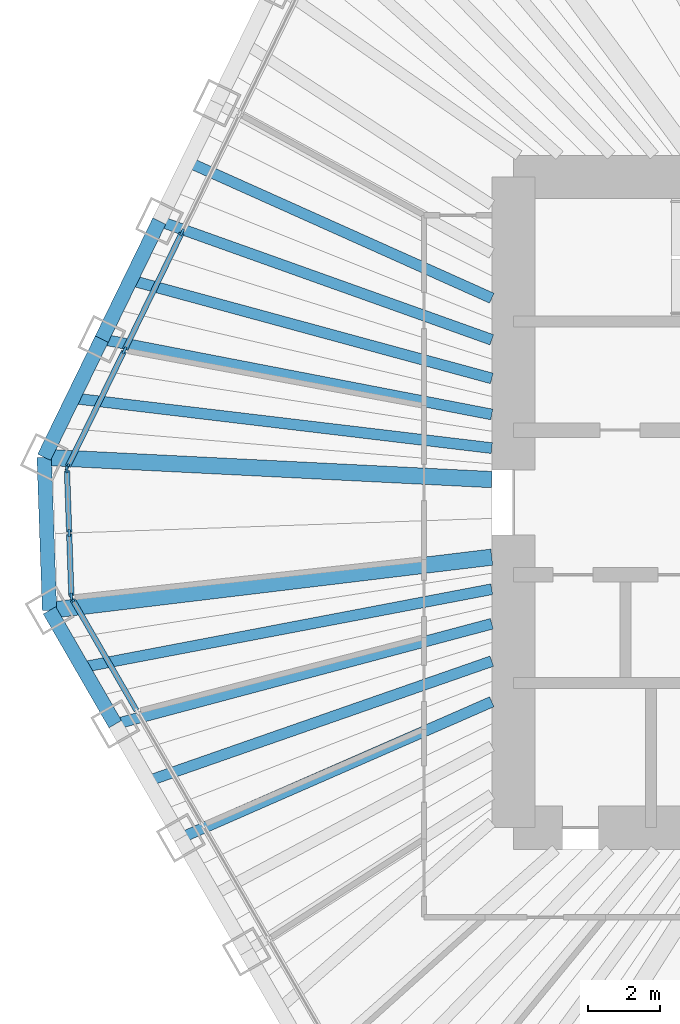
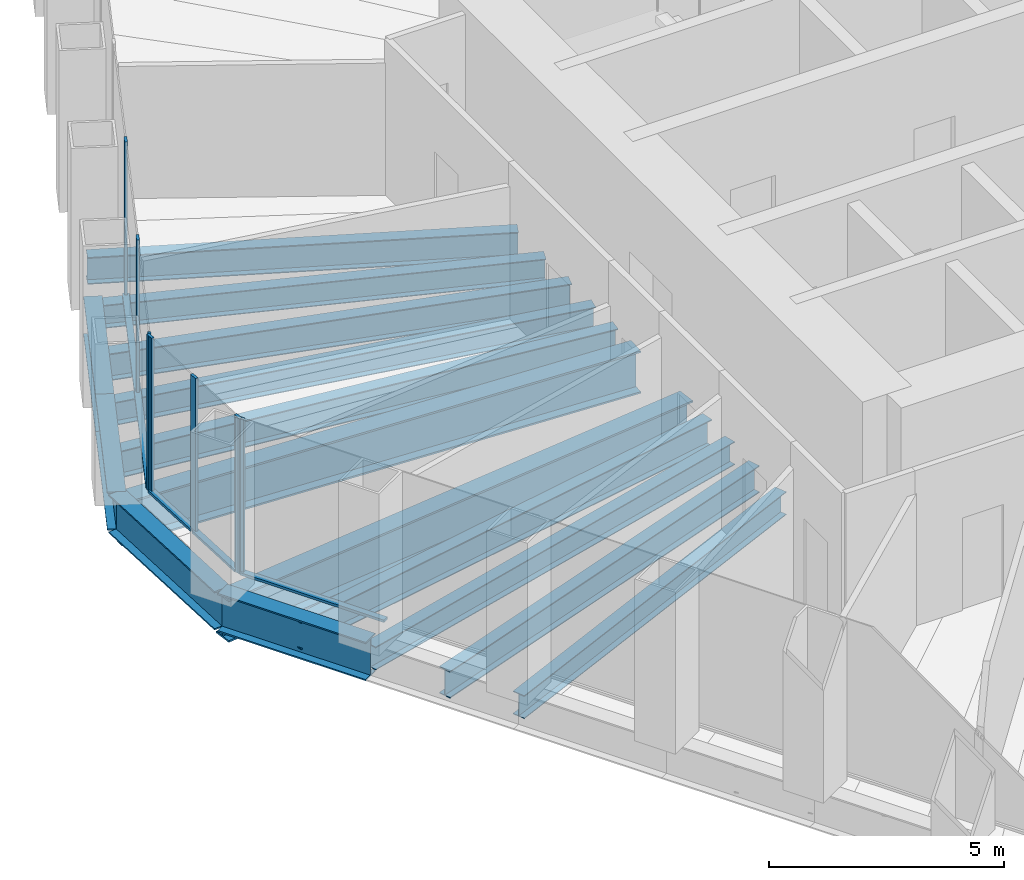
# One storey, part 3 of 14: 15 beams, 12 members, 3 elements without a shape of their own.
"""IFC4 building model written with IfcOpenShell, lengths in metres."""

from ifc_helpers import new_model, si_unit, direction, frame, origin, origin_2d, place, context, subcontext, project, spatial, rectangle, i_section, extrude, material, material_profile, profile_set, type_object, element, aggregate, save


model = new_model("IFC4")

# Units and contexts
model_context = context("Model", 3, precision=1e-05, world=origin(), true_north=direction((0.0, 1.0)))
body_context = subcontext(model_context, "Body", "Model", "MODEL_VIEW")
ifc_project = project(units=[si_unit("LENGTHUNIT", "METRE"), si_unit("AREAUNIT", "SQUARE_METRE"), si_unit("VOLUMEUNIT", "CUBIC_METRE"), si_unit("PLANEANGLEUNIT", "RADIAN"), si_unit("MASSUNIT", "GRAM", prefix="KILO")], contexts=[model_context])

# Site, building, storey
site_placement = place(None, origin())
site = spatial("IfcSite", under=ifc_project, at=site_placement, CompositionType="ELEMENT")
building_placement = place(site_placement, origin())
building = spatial("IfcBuilding", under=site, at=building_placement, Name="Qingtian Harvest Tower", CompositionType="ELEMENT")
storey_placement = place(building_placement, frame((0.0, 0.0, 243.39990234375)))
storey = spatial("IfcBuildingStorey", under=building, at=storey_placement, Name="L53", CompositionType="ELEMENT", Elevation=243.39990234375)

# Beams
ifc_material_1 = material(Name="Steel SM570MC", Category="steel")
ifc_material_profile_1 = material_profile(ifc_material_1, i_section(OverallWidth=0.449951171875, OverallDepth=1.10009765625, WebThickness=0.02197265625, FlangeThickness=0.044921875, at=origin_2d()), Name="H1100x450x22x45")
ifc_profile_set_1 = profile_set([ifc_material_profile_1], Name="Steel SM570MC")
beam_type_1 = type_object("IfcBeamType", Name="Corner floor beam FB8 H1100x450x22x45", PredefinedType="BEAM", material=ifc_profile_set_1)
beam_1_placement = place(storey_placement, frame((-24.833251953125, -2.987548828125, -0.719970703125), z_axis=(0.992841259631, 0.119441337798, 0.0), x_axis=(-0.119441337798, 0.992841259631, 0.0)))
element("IfcBeam", 1, at=beam_1_placement, inside=storey, type_object=beam_type_1, Name="Floor beam FB8 SW6", PredefinedType="BEAM", context=body_context, shape_type="SweptSolid", body=[
    extrude(i_section(OverallWidth=0.449951171875, OverallDepth=1.10009765625, WebThickness=0.02197265625, FlangeThickness=0.044921875, at=origin_2d()), origin(), (0.0, 0.0, 1.0), 12.3212890625),
])
beam_2_placement = place(storey_placement, frame((-24.981201171875, 1.248046875, -0.719970703125), z_axis=(0.998753959075, -0.049905202459, 0.0), x_axis=(0.049905202459, 0.998753959075, 0.0)))
element("IfcBeam", 2, at=beam_2_placement, inside=storey, type_object=beam_type_1, Name="Floor beam FB8 NW0", PredefinedType="BEAM", context=body_context, shape_type="SweptSolid", body=[
    extrude(i_section(OverallWidth=0.449951171875, OverallDepth=1.10009765625, WebThickness=0.02197265625, FlangeThickness=0.044921875, at=origin_2d()), origin(), (0.0, 0.0, 1.0), 12.396484375),
])
ifc_material_2 = material(Name="Steel SN490B", Category="steel")
ifc_material_profile_2 = material_profile(ifc_material_2, i_section(OverallWidth=0.300048828125, OverallDepth=0.60009765625, WebThickness=0.011962890625, FlangeThickness=0.02001953125, at=origin_2d()), Name="H600x300x12x20")
ifc_profile_set_2 = profile_set([ifc_material_profile_2], Name="Steel SN490B")
beam_type_2 = type_object("IfcBeamType", Name="Floor beam FB3 H600x300x12x20", PredefinedType="BEAM", material=ifc_profile_set_2)
beam_3_placement = place(storey_placement, frame((-21.19970703125, -9.281005859375, -0.469970703125), z_axis=(0.916057031544, 0.401048020765, 0.0), x_axis=(-0.401048020765, 0.916057031544, 0.0)))
element("IfcBeam", 3, at=beam_3_placement, inside=storey, type_object=beam_type_2, Name="Floor beam FB3 SW4", PredefinedType="BEAM", context=body_context, shape_type="SweptSolid", body=[
    extrude(i_section(OverallWidth=0.300048828125, OverallDepth=0.60009765625, WebThickness=0.011962890625, FlangeThickness=0.02001953125, at=origin_2d()), origin(), (0.0, 0.0, 1.0), 9.3876953125),
])
beam_4_placement = place(storey_placement, frame((-23.016357421875, -6.13427734375, -0.469970703125), z_axis=(0.966270640629, 0.257528734433, 0.0), x_axis=(-0.257528734433, 0.966270640629, 0.0)))
element("IfcBeam", 4, at=beam_4_placement, inside=storey, type_object=beam_type_2, Name="Floor beam FB3 SW5", PredefinedType="BEAM", context=body_context, shape_type="SweptSolid", body=[
    extrude(i_section(OverallWidth=0.300048828125, OverallDepth=0.60009765625, WebThickness=0.011962890625, FlangeThickness=0.02001953125, at=origin_2d()), origin(), (0.0, 0.0, 1.0), 10.77978515625),
])
beam_5_placement = place(storey_placement, frame((-23.388427734375, 4.513916015625, -0.469970703125), z_axis=(0.981878004162, -0.189514075845, 0.0), x_axis=(0.189514075845, 0.981878004162, 0.0)))
element("IfcBeam", 5, at=beam_5_placement, inside=storey, type_object=beam_type_2, Name="Floor beam FB3 NW1", PredefinedType="BEAM", context=body_context, shape_type="SweptSolid", body=[
    extrude(i_section(OverallWidth=0.300048828125, OverallDepth=0.60009765625, WebThickness=0.011962890625, FlangeThickness=0.02001953125, at=origin_2d()), origin(), (0.0, 0.0, 1.0), 10.987548828125),
])
beam_6_placement = place(storey_placement, frame((-21.79541015625, 7.779541015625, -0.469970703125), z_axis=(0.941800733255, -0.336171650857, 0.0), x_axis=(0.336171650857, 0.941800733255, 0.0)))
element("IfcBeam", 6, at=beam_6_placement, inside=storey, type_object=beam_type_2, Name="Floor beam FB3 NW2", PredefinedType="BEAM", context=body_context, shape_type="SweptSolid", body=[
    extrude(i_section(OverallWidth=0.300048828125, OverallDepth=0.60009765625, WebThickness=0.011962890625, FlangeThickness=0.02001953125, at=origin_2d()), origin(), (0.0, 0.0, 1.0), 9.763427734375),
])
ifc_material_3 = material(Name="Steel SN490B", Category="steel")
ifc_material_profile_3 = material_profile(ifc_material_3, i_section(OverallWidth=0.300048828125, OverallDepth=0.699951171875, WebThickness=0.012939453125, FlangeThickness=0.02392578125, at=origin_2d()), Name="H700x300x13x24")
ifc_profile_set_3 = profile_set([ifc_material_profile_3], Name="Steel SN490B")
beam_type_3 = type_object("IfcBeamType", Name="Floor joist J2 H700x300x13x24", PredefinedType="JOIST", material=ifc_profile_set_3)
beam_7_placement = place(storey_placement, frame((-22.108154296875, -7.707763671875, -0.52001953125), z_axis=(0.944256456951, 0.329210788868, 0.0), x_axis=(-0.329210788868, 0.944256456951, 0.0)))
element("IfcBeam", 7, at=beam_7_placement, inside=storey, type_object=beam_type_3, Name="Floor joist J2 SW4", PredefinedType="JOIST", context=body_context, shape_type="SweptSolid", body=[
    extrude(i_section(OverallWidth=0.300048828125, OverallDepth=0.699951171875, WebThickness=0.012939453125, FlangeThickness=0.02392578125, at=origin_2d()), origin(), (0.0, 0.0, 1.0), 10.0693359375),
])
beam_8_placement = place(storey_placement, frame((-23.9248046875, -4.56103515625, -0.52001953125), z_axis=(0.982309082743, 0.187266830912, 0.0), x_axis=(-0.187266830912, 0.982309082743, 0.0)))
element("IfcBeam", 8, at=beam_8_placement, inside=storey, type_object=beam_type_3, Name="Floor joist J2 SW5", PredefinedType="JOIST", context=body_context, shape_type="SweptSolid", body=[
    extrude(i_section(OverallWidth=0.300048828125, OverallDepth=0.699951171875, WebThickness=0.012939453125, FlangeThickness=0.02392578125, at=origin_2d()), origin(), (0.0, 0.0, 1.0), 11.528564453125),
])
beam_9_placement = place(storey_placement, frame((-24.184814453125, 2.880859375, -0.52001953125), z_axis=(0.992980727423, -0.11827626544, 0.0), x_axis=(0.11827626544, 0.992980727423, 0.0)))
element("IfcBeam", 9, at=beam_9_placement, inside=storey, type_object=beam_type_3, Name="Floor joist J2 NW0", PredefinedType="JOIST", context=body_context, shape_type="SweptSolid", body=[
    extrude(i_section(OverallWidth=0.300048828125, OverallDepth=0.699951171875, WebThickness=0.012939453125, FlangeThickness=0.02392578125, at=origin_2d()), origin(), (0.0, 0.0, 1.0), 11.66650390625),
])
beam_10_placement = place(storey_placement, frame((-22.591796875, 6.146728515625, -0.52001953125), z_axis=(0.964923062728, -0.26253282274, 0.0), x_axis=(0.26253282274, 0.964923062728, 0.0)))
element("IfcBeam", 10, at=beam_10_placement, inside=storey, type_object=beam_type_3, Name="Floor joist J2 NW1", PredefinedType="JOIST", context=body_context, shape_type="SweptSolid", body=[
    extrude(i_section(OverallWidth=0.300048828125, OverallDepth=0.699951171875, WebThickness=0.012939453125, FlangeThickness=0.02392578125, at=origin_2d()), origin(), (0.0, 0.0, 1.0), 10.35498046875),
])
beam_11_placement = place(storey_placement, frame((-20.9990234375, 9.41259765625, -0.52001953125), z_axis=(0.912515128421, -0.409042956671, 0.0), x_axis=(0.409042956671, 0.912515128421, 0.0)))
element("IfcBeam", 11, at=beam_11_placement, inside=storey, type_object=beam_type_3, Name="Floor joist J2 NW2", PredefinedType="JOIST", context=body_context, shape_type="SweptSolid", body=[
    extrude(i_section(OverallWidth=0.300048828125, OverallDepth=0.699951171875, WebThickness=0.012939453125, FlangeThickness=0.02392578125, at=origin_2d()), origin(), (0.0, 0.0, 1.0), 9.2041015625),
])

# Curtain wall, member
ifc_material_4 = material(Name="Bronze-anodised aluminium curtain wall", Category="aluminium")
curtain_wall_type = type_object("IfcCurtainWallType", Name="Curtain wall CW4 office", PredefinedType="USERDEFINED", material=ifc_material_4)
curtain_wall_1_placement = place(storey_placement, origin())
curtain_wall_1 = element("IfcCurtainWall", 12, at=curtain_wall_1_placement, inside=storey, type_object=curtain_wall_type, Name="Curtain wall CW4 L53 SW0-5", ObjectType="RECESSED CURTAIN WALL", PredefinedType="USERDEFINED")
ifc_material_5 = material(Name="Bronze-anodised aluminium mullion", Category="aluminium")
ifc_material_profile_4 = material_profile(ifc_material_5, rectangle(XDim=0.06494140625, YDim=0.199951171875, at=origin_2d()), Name="AL 65x200")
ifc_profile_set_4 = profile_set([ifc_material_profile_4], Name="Bronze-anodised aluminium mullion")
member_type_1 = type_object("IfcMemberType", Name="Mullion CWM 65x200", PredefinedType="MULLION", material=ifc_profile_set_4)
member_1_placement = place(storey_placement, frame((-24.210693359375, -2.665771484375, 0.0), z_axis=(0.0, 0.0, 1.0), x_axis=(-0.866025403784, -0.5, 0.0)))
member_1 = element("IfcMember", 13, at=member_1_placement, type_object=member_type_1, Name="CW4 mullion 7", PredefinedType="MULLION", context=body_context, shape_type="SweptSolid", body=[
    extrude(rectangle(XDim=0.06494140625, YDim=0.199951171875, at=origin_2d()), origin(), (0.0, 0.0, 1.0), 4.030029296875),
])

# Curtain wall, members
curtain_wall_2_placement = place(storey_placement, origin())
curtain_wall_2 = element("IfcCurtainWall", 14, at=curtain_wall_2_placement, inside=storey, type_object=curtain_wall_type, Name="Curtain wall CW4 L53 SWC", ObjectType="RECESSED CURTAIN WALL", PredefinedType="USERDEFINED")
member_2_placement = place(storey_placement, frame((-24.228271484375, -2.60498046875, 0.0), z_axis=(0.0, 0.0, 1.0), x_axis=(-0.999390827019, -0.034899496703, 0.0)))
member_2 = element("IfcMember", 15, at=member_2_placement, type_object=member_type_1, Name="CW4 mullion 1", PredefinedType="MULLION", context=body_context, shape_type="SweptSolid", body=[
    extrude(rectangle(XDim=0.06494140625, YDim=0.199951171875, at=origin_2d()), origin(), (0.0, 0.0, 1.0), 4.030029296875),
])
member_3_placement = place(storey_placement, frame((-24.28955078125, -0.84814453125, 0.0), z_axis=(0.0, 0.0, 1.0), x_axis=(-0.999390827019, -0.034899496703, 0.0)))
member_3 = element("IfcMember", 16, at=member_3_placement, type_object=member_type_1, Name="CW4 mullion 2", PredefinedType="MULLION", context=body_context, shape_type="SweptSolid", body=[
    extrude(rectangle(XDim=0.06494140625, YDim=0.199951171875, at=origin_2d()), origin(), (0.0, 0.0, 1.0), 4.030029296875),
])
member_4_placement = place(storey_placement, frame((-24.350830078125, 0.90869140625, 0.0), z_axis=(0.0, 0.0, 1.0), x_axis=(-0.999390827019, -0.034899496703, 0.0)))
member_4 = element("IfcMember", 17, at=member_4_placement, type_object=member_type_1, Name="CW4 mullion 3", PredefinedType="MULLION", context=body_context, shape_type="SweptSolid", body=[
    extrude(rectangle(XDim=0.06494140625, YDim=0.199951171875, at=origin_2d()), origin(), (0.0, 0.0, 1.0), 4.030029296875),
])

curtain_wall_3_placement = place(storey_placement, origin())
curtain_wall_3 = element("IfcCurtainWall", 18, at=curtain_wall_3_placement, inside=storey, type_object=curtain_wall_type, Name="Curtain wall CW4 L53 NW0-5", ObjectType="RECESSED CURTAIN WALL", PredefinedType="USERDEFINED")
member_5_placement = place(storey_placement, frame((-24.337646484375, 0.970458984375, 0.0), z_axis=(0.0, 0.0, 1.0), x_axis=(-0.898794046299, 0.438371146789, 0.0)))
member_5 = element("IfcMember", 19, at=member_5_placement, type_object=member_type_1, Name="CW4 mullion 1", PredefinedType="MULLION", context=body_context, shape_type="SweptSolid", body=[
    extrude(rectangle(XDim=0.06494140625, YDim=0.199951171875, at=origin_2d()), origin(), (0.0, 0.0, 1.0), 4.030029296875),
])
member_6_placement = place(storey_placement, frame((-22.759033203125, 4.20703125, 0.0), z_axis=(0.0, 0.0, 1.0), x_axis=(-0.898794046299, 0.438371146789, 0.0)))
member_6 = element("IfcMember", 20, at=member_6_placement, type_object=member_type_1, Name="CW4 mullion 2", PredefinedType="MULLION", context=body_context, shape_type="SweptSolid", body=[
    extrude(rectangle(XDim=0.06494140625, YDim=0.199951171875, at=origin_2d()), origin(), (0.0, 0.0, 1.0), 4.030029296875),
])
member_7_placement = place(storey_placement, frame((-21.166259765625, 7.47265625, 0.0), z_axis=(0.0, 0.0, 1.0), x_axis=(-0.898794046299, 0.438371146789, 0.0)))
member_7 = element("IfcMember", 21, at=member_7_placement, type_object=member_type_1, Name="CW4 mullion 3", PredefinedType="MULLION", context=body_context, shape_type="SweptSolid", body=[
    extrude(rectangle(XDim=0.06494140625, YDim=0.199951171875, at=origin_2d()), origin(), (0.0, 0.0, 1.0), 4.030029296875),
])

# Beams
ifc_material_6 = material(Name="Steel SN490B", Category="steel")
ifc_material_profile_5 = material_profile(ifc_material_6, i_section(OverallWidth=0.39990234375, OverallDepth=1.0, WebThickness=0.01904296875, FlangeThickness=0.035888671875, at=origin_2d()), Name="H1000x400x19x36")
ifc_profile_set_5 = profile_set([ifc_material_profile_5], Name="Steel SN490B")
beam_type_4 = type_object("IfcBeamType", Name="Spandrel beam SB3 H1000x400x19x36", PredefinedType="SPANDREL", material=ifc_profile_set_5)
beam_12_placement = place(storey_placement, frame((-23.016357421875, -6.13427734375, -0.5), z_axis=(-0.500026827678, 0.866009914263, 0.0), x_axis=(-0.866009914263, -0.500026827678, 0.0)))
element("IfcBeam", 22, at=beam_12_placement, inside=storey, type_object=beam_type_4, Name="Spandrel SB3 SW5", PredefinedType="SPANDREL", context=body_context, shape_type="SweptSolid", body=[
    extrude(i_section(OverallWidth=0.39990234375, OverallDepth=1.0, WebThickness=0.01904296875, FlangeThickness=0.035888671875, at=origin_2d()), origin(), (0.0, 0.0, 1.0), 3.633544921875),
])
beam_13_placement = place(storey_placement, frame((-24.833251953125, -2.987548828125, -0.5), z_axis=(-0.034908677553, 0.999390506375, 0.0), x_axis=(-0.999390506375, -0.034908677553, 0.0)))
element("IfcBeam", 23, at=beam_13_placement, inside=storey, type_object=beam_type_4, Name="Spandrel SB3 SWC", PredefinedType="SPANDREL", context=body_context, shape_type="SweptSolid", body=[
    extrude(i_section(OverallWidth=0.39990234375, OverallDepth=1.0, WebThickness=0.01904296875, FlangeThickness=0.035888671875, at=origin_2d()), origin(), (0.0, 0.0, 1.0), 4.23828125),
])
for number, where, z_axis, x_axis, name in (
    (24, (-24.981201171875, 1.248046875, -0.5), (0.438349498419, 0.898804604592, 0.0), (-0.898804604592, 0.438349498419, 0.0), "Spandrel SB3 NW0"),
    (25, (-23.388427734375, 4.513916015625, -0.5), (0.438430251153, 0.898765216769, 0.0), (-0.898765216769, 0.438430251153, 0.0), "Spandrel SB3 NW1"),
):
    element("IfcBeam", number, at=place(storey_placement, frame(where, z_axis=z_axis, x_axis=x_axis)), inside=storey, type_object=beam_type_4, Name=name, PredefinedType="SPANDREL", context=body_context, shape_type="SweptSolid", body=[
        extrude(i_section(OverallWidth=0.39990234375, OverallDepth=1.0, WebThickness=0.01904296875, FlangeThickness=0.035888671875, at=origin_2d()), origin(), (0.0, 0.0, 1.0), 3.633544921875),
    ])

# Member
ifc_material_7 = material(Name="Bronze-anodised aluminium transom", Category="aluminium")
ifc_material_profile_6 = material_profile(ifc_material_7, rectangle(XDim=0.14990234375, YDim=0.06494140625, at=origin_2d()), Name="AL 65x150")
ifc_profile_set_6 = profile_set([ifc_material_profile_6], Name="Bronze-anodised aluminium transom")
member_type_2 = type_object("IfcMemberType", Name="Transom CWT 65x150", PredefinedType="USERDEFINED", material=ifc_profile_set_6)
member_8_placement = place(storey_placement, frame((-22.426513671875, -5.756103515625, 0.03271484375), z_axis=(-0.500015305566, 0.866016566931, 0.0), x_axis=(-0.866016566931, -0.500015305566, 0.0)))
member_8 = element("IfcMember", 26, at=member_8_placement, type_object=member_type_2, Name="CW4 transom 6.1", ObjectType="TRANSOM", PredefinedType="USERDEFINED", context=body_context, shape_type="SweptSolid", body=[
    extrude(rectangle(XDim=0.14990234375, YDim=0.06494140625, at=origin_2d()), origin(), (0.0, 0.0, 1.0), 3.5361328125),
])

aggregate(curtain_wall_1, [member_1, member_8])

member_9_placement = place(storey_placement, frame((-24.229248046875, -2.572509765625, 0.03271484375), z_axis=(-0.034899362377, 0.99939083171, 0.0), x_axis=(-0.99939083171, -0.034899362377, 0.0)))
member_9 = element("IfcMember", 27, at=member_9_placement, type_object=member_type_2, Name="CW4 transom 1.1", ObjectType="TRANSOM", PredefinedType="USERDEFINED", context=body_context, shape_type="SweptSolid", body=[
    extrude(rectangle(XDim=0.14990234375, YDim=0.06494140625, at=origin_2d()), origin(), (0.0, 0.0, 1.0), 1.69287109375),
])

member_10_placement = place(storey_placement, frame((-24.29052734375, -0.815673828125, 0.03271484375), z_axis=(-0.034899362377, 0.99939083171, 0.0), x_axis=(-0.99939083171, -0.034899362377, 0.0)))
member_10 = element("IfcMember", 28, at=member_10_placement, type_object=member_type_2, Name="CW4 transom 2.1", ObjectType="TRANSOM", PredefinedType="USERDEFINED", context=body_context, shape_type="SweptSolid", body=[
    extrude(rectangle(XDim=0.14990234375, YDim=0.06494140625, at=origin_2d()), origin(), (0.0, 0.0, 1.0), 1.69287109375),
])

aggregate(curtain_wall_2, [member_2, member_3, member_4, member_9, member_10])

member_11_placement = place(storey_placement, frame((-24.323486328125, 0.99951171875, 0.03271484375), z_axis=(0.438354255898, 0.898802284341, 0.0), x_axis=(-0.898802284341, 0.438354255898, 0.0)))
member_11 = element("IfcMember", 29, at=member_11_placement, type_object=member_type_2, Name="CW4 transom 1.1", ObjectType="TRANSOM", PredefinedType="USERDEFINED", context=body_context, shape_type="SweptSolid", body=[
    extrude(rectangle(XDim=0.14990234375, YDim=0.06494140625, at=origin_2d()), origin(), (0.0, 0.0, 1.0), 3.5361328125),
])

member_12_placement = place(storey_placement, frame((-22.744873046875, 4.236083984375, 0.03271484375), z_axis=(0.438325233634, 0.89881643819, 0.0), x_axis=(-0.89881643819, 0.438325233634, 0.0)))
member_12 = element("IfcMember", 30, at=member_12_placement, type_object=member_type_2, Name="CW4 transom 2.1", ObjectType="TRANSOM", PredefinedType="USERDEFINED", context=body_context, shape_type="SweptSolid", body=[
    extrude(rectangle(XDim=0.14990234375, YDim=0.06494140625, at=origin_2d()), origin(), (0.0, 0.0, 1.0), 3.568603515625),
])

aggregate(curtain_wall_3, [member_5, member_6, member_7, member_11, member_12])

save(model, "model.ifc")
